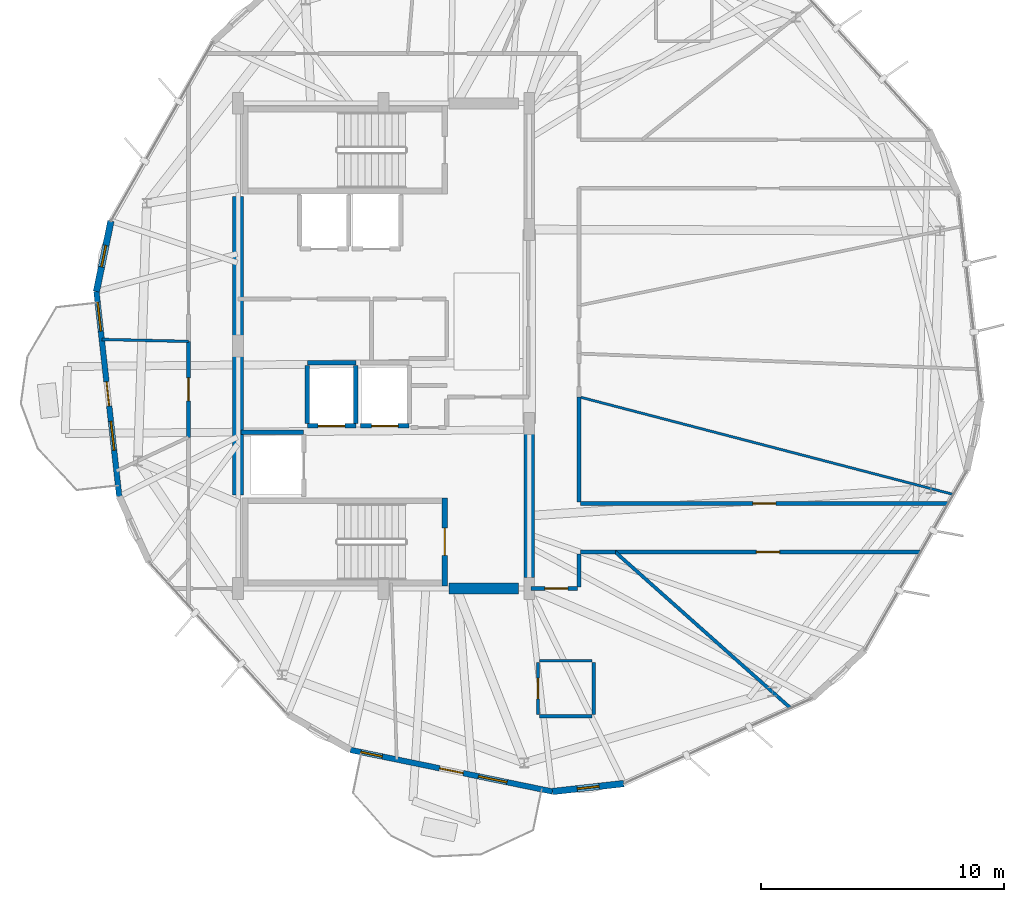
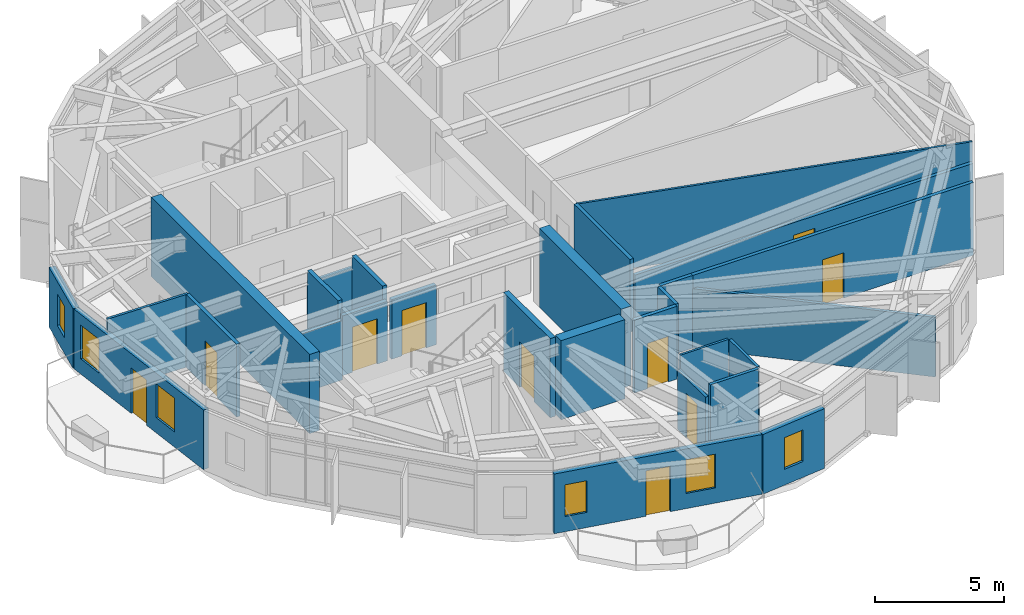
# One storey, part 17 of 23: 28 walls, 10 doors, 6 windows, 16 openings.
"""IFC4 building model written with IfcOpenShell, lengths in metres."""

from ifc_helpers import new_model, si_unit, direction, frame, frame_2d, origin, place, context, subcontext, project, spatial, rectangle, extrude, material, layer, layer_set, type_object, element, fill, save


model = new_model("IFC4")

# Units and contexts
model_context = context("Model", 3, precision=1e-05, world=origin(), true_north=direction((0.0, 1.0)))
body_context = subcontext(model_context, "Body", "Model", "MODEL_VIEW")
ifc_project = project(units=[si_unit("LENGTHUNIT", "METRE"), si_unit("AREAUNIT", "SQUARE_METRE"), si_unit("VOLUMEUNIT", "CUBIC_METRE"), si_unit("PLANEANGLEUNIT", "RADIAN"), si_unit("MASSUNIT", "GRAM", prefix="KILO")], contexts=[model_context])

# Site, building, storey
site_placement = place(None, origin())
site = spatial("IfcSite", under=ifc_project, at=site_placement, CompositionType="ELEMENT")
building_placement = place(site_placement, origin())
building = spatial("IfcBuilding", under=site, at=building_placement, Name="Soratama Intermodal Tower", CompositionType="ELEMENT")
storey_placement = place(building_placement, frame((0.0, 0.0, 257.5)))
storey = spatial("IfcBuildingStorey", under=building, at=storey_placement, Name="L65", CompositionType="ELEMENT", Elevation=257.5)

# Wall, openings, door, windows
ifc_material_1 = material(Name="Concrete f'c 42 MPa", Category="concrete")
ifc_layer_1 = layer(ifc_material_1, 0.22998046875)
ifc_layer_set_1 = layer_set([ifc_layer_1], Name="Concrete f'c 42 MPa")
wall_type_1 = type_object("IfcWallType", Name="EW-BAL-230", PredefinedType="SOLIDWALL", material=ifc_layer_set_1)
wall_1_placement = place(storey_placement, frame((26.759521484375, 27.2431640625, 0.0), z_axis=(0.0, 0.0, 1.0), x_axis=(0.1107562312, -0.993847602629, 0.0)))
wall_1 = element("IfcWall", 1, at=wall_1_placement, inside=storey, type_object=wall_type_1, Name="L65 Terrace Wall F04", PredefinedType="SOLIDWALL", context=body_context, shape_type="SweptSolid", body=[
    extrude(rectangle(XDim=8.499755859375, YDim=0.22998046875, at=frame_2d((4.25, 0.0))), origin(), (0.0, 0.0, 1.0), 2.8291015625),
])
opening_1_placement = place(wall_1_placement, frame((3.75, 0.0, 0.0)))
opening_1 = element("IfcOpeningElement", 2, at=opening_1_placement, cuts=wall_1, Name="Opening ED-2", PredefinedType="OPENING", context=body_context, shape_type="SweptSolid", body=[
    extrude(rectangle(XDim=1.0, YDim=2.14990234375, at=frame_2d((0.5, 1.074951171875))), frame((0.0, 0.125, 0.0), z_axis=(0.0, -1.0, 0.0), x_axis=(1.0, 0.0, 0.0)), (0.0, 0.0, 1.0), 0.25),
])
opening_2_placement = place(wall_1_placement, frame((0.43994140625, 0.0, 0.719970703125)))
opening_2 = element("IfcOpeningElement", 3, at=opening_2_placement, cuts=wall_1, Name="Opening WN-2", PredefinedType="OPENING", context=body_context, shape_type="SweptSolid", body=[
    extrude(rectangle(XDim=1.199951171875, YDim=1.60009765625, at=frame_2d((0.60009765625, 0.800048828125))), frame((0.0, 0.125, 0.0), z_axis=(0.0, -1.0, 0.0), x_axis=(1.0, 0.0, 0.0)), (0.0, 0.0, 1.0), 0.25),
])
opening_3_placement = place(wall_1_placement, frame((5.389892578125, 0.0, 0.719970703125)))
opening_3 = element("IfcOpeningElement", 4, at=opening_3_placement, cuts=wall_1, Name="Opening WN-2", PredefinedType="OPENING", context=body_context, shape_type="SweptSolid", body=[
    extrude(rectangle(XDim=1.199951171875, YDim=1.60009765625, at=frame_2d((0.60009765625, 0.800048828125))), frame((0.0, 0.125, 0.0), z_axis=(0.0, -1.0, 0.0), x_axis=(1.0, 0.0, 0.0)), (0.0, 0.0, 1.0), 0.25),
])
ifc_material_2 = material(Name="Double-glazed aluminium door", Category="aluminium")
door_type_1 = type_object("IfcDoorType", Name="DR-BAL-1000", OperationType="NOTDEFINED", PredefinedType="DOOR", material=ifc_material_2)
door_1_placement = place(opening_1_placement, origin())
door_1 = element("IfcDoor", 5, at=door_1_placement, inside=storey, type_object=door_type_1, Name="L65 Balcony Door F04", OperationType="SINGLE_SWING_RIGHT", OverallHeight=2.14990234375, OverallWidth=1.0, PredefinedType="DOOR", context=body_context, shape_type="SweptSolid", body=[
    extrude(rectangle(XDim=1.0, YDim=2.14990234375, at=frame_2d((0.5, 1.074951171875))), frame((0.0, 0.02490234375, 0.0), z_axis=(0.0, -1.0, 0.0), x_axis=(1.0, 0.0, 0.0)), (0.0, 0.0, 1.0), 0.050048828125),
])
fill(opening_1, door_1)
ifc_material_3 = material(Name="Double-glazed aluminium window", Category="aluminium")
window_type_1 = type_object("IfcWindowType", Name="WN-FAC-1200", PartitioningType="SINGLE_PANEL", PredefinedType="WINDOW", material=ifc_material_3)
window_1_placement = place(opening_2_placement, origin())
window_1 = element("IfcWindow", 6, at=window_1_placement, inside=storey, type_object=window_type_1, Name="L65 Window A F04", OverallHeight=1.60009765625, OverallWidth=1.199951171875, PartitioningType="SINGLE_PANEL", PredefinedType="WINDOW", context=body_context, shape_type="SweptSolid", body=[
    extrude(rectangle(XDim=1.199951171875, YDim=1.60009765625, at=frame_2d((0.60009765625, 0.800048828125))), frame((0.0, 0.030029296875, 0.0), z_axis=(0.0, -1.0, 0.0), x_axis=(1.0, 0.0, 0.0)), (0.0, 0.0, 1.0), 0.06005859375),
])
fill(opening_2, window_1)
window_2_placement = place(opening_3_placement, origin())
window_2 = element("IfcWindow", 7, at=window_2_placement, inside=storey, type_object=window_type_1, Name="L65 Window B F04", OverallHeight=1.60009765625, OverallWidth=1.199951171875, PartitioningType="SINGLE_PANEL", PredefinedType="WINDOW", context=body_context, shape_type="SweptSolid", body=[
    extrude(rectangle(XDim=1.199951171875, YDim=1.60009765625, at=frame_2d((0.60009765625, 0.800048828125))), frame((0.0, 0.030029296875, 0.0), z_axis=(0.0, -1.0, 0.0), x_axis=(1.0, 0.0, 0.0)), (0.0, 0.0, 1.0), 0.06005859375),
])
fill(opening_3, window_2)

wall_2_placement = place(storey_placement, frame((37.22998046875, 8.34521484375, 0.0), z_axis=(0.0, 0.0, 1.0), x_axis=(0.979436514716, -0.201752605043, 0.0)))
wall_2 = element("IfcWall", 8, at=wall_2_placement, inside=storey, type_object=wall_type_1, Name="L65 Terrace Wall F06", PredefinedType="SOLIDWALL", context=body_context, shape_type="SweptSolid", body=[
    extrude(rectangle(XDim=8.499755859375, YDim=0.22998046875, at=frame_2d((4.25, 0.0))), origin(), (0.0, 0.0, 1.0), 2.8291015625),
])
opening_4_placement = place(wall_2_placement, frame((3.75, 0.0, 0.0)))
opening_4 = element("IfcOpeningElement", 9, at=opening_4_placement, cuts=wall_2, Name="Opening ED-2", PredefinedType="OPENING", context=body_context, shape_type="SweptSolid", body=[
    extrude(rectangle(XDim=1.0, YDim=2.14990234375, at=frame_2d((0.5, 1.074951171875))), frame((0.0, 0.125, 0.0), z_axis=(0.0, -1.0, 0.0), x_axis=(1.0, 0.0, 0.0)), (0.0, 0.0, 1.0), 0.25),
])
opening_5_placement = place(wall_2_placement, frame((0.43994140625, 0.0, 0.719970703125)))
opening_5 = element("IfcOpeningElement", 10, at=opening_5_placement, cuts=wall_2, Name="Opening WN-6", PredefinedType="OPENING", context=body_context, shape_type="SweptSolid", body=[
    extrude(rectangle(XDim=0.89990234375, YDim=1.5, at=frame_2d((0.449951171875, 0.75))), frame((0.0, 0.125, 0.0), z_axis=(0.0, -1.0, 0.0), x_axis=(1.0, 0.0, 0.0)), (0.0, 0.0, 1.0), 0.25),
])
opening_6_placement = place(wall_2_placement, frame((5.389892578125, 0.0, 0.719970703125)))
opening_6 = element("IfcOpeningElement", 11, at=opening_6_placement, cuts=wall_2, Name="Opening WN-2", PredefinedType="OPENING", context=body_context, shape_type="SweptSolid", body=[
    extrude(rectangle(XDim=1.199951171875, YDim=1.60009765625, at=frame_2d((0.60009765625, 0.800048828125))), frame((0.0, 0.125, 0.0), z_axis=(0.0, -1.0, 0.0), x_axis=(1.0, 0.0, 0.0)), (0.0, 0.0, 1.0), 0.25),
])
door_2_placement = place(opening_4_placement, origin())
door_2 = element("IfcDoor", 12, at=door_2_placement, inside=storey, type_object=door_type_1, Name="L65 Balcony Door F06", OperationType="SINGLE_SWING_RIGHT", OverallHeight=2.14990234375, OverallWidth=1.0, PredefinedType="DOOR", context=body_context, shape_type="SweptSolid", body=[
    extrude(rectangle(XDim=1.0, YDim=2.14990234375, at=frame_2d((0.5, 1.074951171875))), frame((0.0, 0.02490234375, 0.0), z_axis=(0.0, -1.0, 0.0), x_axis=(1.0, 0.0, 0.0)), (0.0, 0.0, 1.0), 0.050048828125),
])
fill(opening_4, door_2)
window_3_placement = place(opening_6_placement, origin())
window_3 = element("IfcWindow", 13, at=window_3_placement, inside=storey, type_object=window_type_1, Name="L65 Window B F06", OverallHeight=1.60009765625, OverallWidth=1.199951171875, PartitioningType="SINGLE_PANEL", PredefinedType="WINDOW", context=body_context, shape_type="SweptSolid", body=[
    extrude(rectangle(XDim=1.199951171875, YDim=1.60009765625, at=frame_2d((0.60009765625, 0.800048828125))), frame((0.0, 0.030029296875, 0.0), z_axis=(0.0, -1.0, 0.0), x_axis=(1.0, 0.0, 0.0)), (0.0, 0.0, 1.0), 0.06005859375),
])
fill(opening_6, window_3)
ifc_material_4 = material(Name="Double-glazed aluminium window", Category="aluminium")
window_type_2 = type_object("IfcWindowType", Name="WN-FAC-900", PartitioningType="SINGLE_PANEL", PredefinedType="WINDOW", material=ifc_material_4)
window_4_placement = place(opening_5_placement, origin())
window_4 = element("IfcWindow", 14, at=window_4_placement, inside=storey, type_object=window_type_2, Name="L65 Window A F06", OverallHeight=1.5, OverallWidth=0.89990234375, PartitioningType="SINGLE_PANEL", PredefinedType="WINDOW", context=body_context, shape_type="SweptSolid", body=[
    extrude(rectangle(XDim=0.89990234375, YDim=1.5, at=frame_2d((0.449951171875, 0.75))), frame((0.0, 0.030029296875, 0.0), z_axis=(0.0, -1.0, 0.0), x_axis=(1.0, 0.0, 0.0)), (0.0, 0.0, 1.0), 0.06005859375),
])
fill(opening_5, window_4)

# Wall, opening, window
ifc_material_5 = material(Name="Concrete f'c 42 MPa", Category="concrete")
ifc_layer_2 = layer(ifc_material_5, 0.27001953125)
ifc_layer_set_2 = layer_set([ifc_layer_2], Name="Concrete f'c 42 MPa")
wall_type_2 = type_object("IfcWallType", Name="EW-CRN-270", PredefinedType="SOLIDWALL", material=ifc_layer_set_2)
wall_3_placement = place(storey_placement, frame((27.35791015625, 30.148681640625, 0.0), z_axis=(0.0, 0.0, 1.0), x_axis=(-0.201715617992, -0.979444132893, 0.0)))
wall_3 = element("IfcWall", 15, at=wall_3_placement, inside=storey, type_object=wall_type_2, Name="L65 Corner Closure Wall 03", PredefinedType="SOLIDWALL", context=body_context, shape_type="SweptSolid", body=[
    extrude(rectangle(XDim=2.966552734375, YDim=0.27001953125, at=frame_2d((1.4833984375, 0.0))), origin(), (0.0, 0.0, 1.0), 2.8291015625),
])
opening_7_placement = place(wall_3_placement, frame((1.033203125, 0.0, 0.75)))
opening_7 = element("IfcOpeningElement", 16, at=opening_7_placement, cuts=wall_3, Name="Opening WN-6", PredefinedType="OPENING", context=body_context, shape_type="SweptSolid", body=[
    extrude(rectangle(XDim=0.89990234375, YDim=1.5, at=frame_2d((0.449951171875, 0.75))), frame((0.0, 0.14501953125, 0.0), z_axis=(0.0, -1.0, 0.0), x_axis=(1.0, 0.0, 0.0)), (0.0, 0.0, 1.0), 0.2900390625),
])
window_5_placement = place(opening_7_placement, origin())
window_5 = element("IfcWindow", 17, at=window_5_placement, inside=storey, type_object=window_type_2, Name="L65 Corner Window 03", OverallHeight=1.5, OverallWidth=0.89990234375, PartitioningType="SINGLE_PANEL", PredefinedType="WINDOW", context=body_context, shape_type="SweptSolid", body=[
    extrude(rectangle(XDim=0.89990234375, YDim=1.5, at=frame_2d((0.449951171875, 0.75))), frame((0.0, 0.030029296875, 0.0), z_axis=(0.0, -1.0, 0.0), x_axis=(1.0, 0.0, 0.0)), (0.0, 0.0, 1.0), 0.06005859375),
])
fill(opening_7, window_5)

wall_4_placement = place(storey_placement, frame((45.554931640625, 6.63037109375, 0.0), z_axis=(0.0, 0.0, 1.0), x_axis=(0.993846546507, 0.110765707676, 0.0)))
wall_4 = element("IfcWall", 18, at=wall_4_placement, inside=storey, type_object=wall_type_2, Name="L65 Corner Closure Wall 06", PredefinedType="SOLIDWALL", context=body_context, shape_type="SweptSolid", body=[
    extrude(rectangle(XDim=2.966796875, YDim=0.27001953125, at=frame_2d((1.4833984375, 0.0))), origin(), (0.0, 0.0, 1.0), 2.8291015625),
])
opening_8_placement = place(wall_4_placement, frame((1.033203125, 0.0, 0.75)))
opening_8 = element("IfcOpeningElement", 19, at=opening_8_placement, cuts=wall_4, Name="Opening WN-6", PredefinedType="OPENING", context=body_context, shape_type="SweptSolid", body=[
    extrude(rectangle(XDim=0.89990234375, YDim=1.5, at=frame_2d((0.449951171875, 0.75))), frame((0.0, 0.14501953125, 0.0), z_axis=(0.0, -1.0, 0.0), x_axis=(1.0, 0.0, 0.0)), (0.0, 0.0, 1.0), 0.2900390625),
])
window_6_placement = place(opening_8_placement, origin())
window_6 = element("IfcWindow", 20, at=window_6_placement, inside=storey, type_object=window_type_2, Name="L65 Corner Window 06", OverallHeight=1.5, OverallWidth=0.89990234375, PartitioningType="SINGLE_PANEL", PredefinedType="WINDOW", context=body_context, shape_type="SweptSolid", body=[
    extrude(rectangle(XDim=0.89990234375, YDim=1.5, at=frame_2d((0.449951171875, 0.75))), frame((0.0, 0.030029296875, 0.0), z_axis=(0.0, -1.0, 0.0), x_axis=(1.0, 0.0, 0.0)), (0.0, 0.0, 1.0), 0.06005859375),
])
fill(opening_8, window_6)

# Wall, opening, door
ifc_material_6 = material(Name="Fire-rated gypsum stud partition", Category="concrete")
ifc_layer_3 = layer(ifc_material_6, 0.159912109375)
ifc_layer_set_3 = layer_set([ifc_layer_3], Name="Fire-rated gypsum stud partition")
wall_type_3 = type_object("IfcWallType", Name="IW-PART-R160", PredefinedType="PARTITIONING", material=ifc_layer_set_3)
wall_5_placement = place(storey_placement, frame((46.719970703125, 18.5, 0.0), z_axis=(0.0, 0.0, 1.0), x_axis=(1.0, 0.0, 0.0)))
wall_5 = element("IfcWall", 21, at=wall_5_placement, inside=storey, type_object=wall_type_3, Name="L65 Partition W-L65-TP005", PredefinedType="PARTITIONING", context=body_context, shape_type="SweptSolid", body=[
    extrude(rectangle(XDim=15.153076171875, YDim=0.159912109375, at=frame_2d((7.57666015625, 0.0))), origin(), (0.0, 0.0, 1.0), 2.7451171875),
])
opening_9_placement = place(wall_5_placement, frame((7.10107421875, 0.0, 0.0)))
opening_9 = element("IfcOpeningElement", 22, at=opening_9_placement, cuts=wall_5, Name="Opening ID-3", PredefinedType="OPENING", context=body_context, shape_type="SweptSolid", body=[
    extrude(rectangle(XDim=0.949951171875, YDim=2.14990234375, at=frame_2d((0.47509765625, 1.074951171875))), frame((0.0, 0.08984375, 0.0), z_axis=(0.0, -1.0, 0.0), x_axis=(1.0, 0.0, 0.0)), (0.0, 0.0, 1.0), 0.179931640625),
])
ifc_material_7 = material(Name="Solid hardwood acoustic door", Category="wood")
door_type_2 = type_object("IfcDoorType", Name="DR-ROOM-950", OperationType="NOTDEFINED", PredefinedType="DOOR", material=ifc_material_7)
door_3_placement = place(opening_9_placement, origin())
door_3 = element("IfcDoor", 23, at=door_3_placement, inside=storey, type_object=door_type_2, Name="L65 Door D-L65-TP002", OperationType="SINGLE_SWING_LEFT", OverallHeight=2.14990234375, OverallWidth=0.949951171875, PredefinedType="DOOR", context=body_context, shape_type="SweptSolid", body=[
    extrude(rectangle(XDim=0.949951171875, YDim=2.14990234375, at=frame_2d((0.47509765625, 1.074951171875))), frame((0.0, 0.02490234375, 0.0), z_axis=(0.0, -1.0, 0.0), x_axis=(1.0, 0.0, 0.0)), (0.0, 0.0, 1.0), 0.050048828125),
])
fill(opening_9, door_3)

wall_6_placement = place(storey_placement, frame((60.735107421875, 16.5, 0.0), z_axis=(0.0, 0.0, 1.0), x_axis=(-1.0, 0.0, 0.0)))
wall_6 = element("IfcWall", 24, at=wall_6_placement, inside=storey, type_object=wall_type_3, Name="L65 Partition W-L65-TP006", PredefinedType="PARTITIONING", context=body_context, shape_type="SweptSolid", body=[
    extrude(rectangle(XDim=12.586181640625, YDim=0.159912109375, at=frame_2d((6.29296875, 0.0))), origin(), (0.0, 0.0, 1.0), 3.449951171875),
])
opening_10_placement = place(wall_6_placement, frame((5.818115234375, 0.0, 0.0)))
opening_10 = element("IfcOpeningElement", 25, at=opening_10_placement, cuts=wall_6, Name="Opening ID-3", PredefinedType="OPENING", context=body_context, shape_type="SweptSolid", body=[
    extrude(rectangle(XDim=0.949951171875, YDim=2.14990234375, at=frame_2d((0.47509765625, 1.074951171875))), frame((0.0, 0.08984375, 0.0), z_axis=(0.0, -1.0, 0.0), x_axis=(1.0, 0.0, 0.0)), (0.0, 0.0, 1.0), 0.179931640625),
])
door_4_placement = place(opening_10_placement, origin())
door_4 = element("IfcDoor", 26, at=door_4_placement, inside=storey, type_object=door_type_2, Name="L65 Door D-L65-TP003", OperationType="SINGLE_SWING_RIGHT", OverallHeight=2.14990234375, OverallWidth=0.949951171875, PredefinedType="DOOR", context=body_context, shape_type="SweptSolid", body=[
    extrude(rectangle(XDim=0.949951171875, YDim=2.14990234375, at=frame_2d((0.47509765625, 1.074951171875))), frame((0.0, 0.02490234375, 0.0), z_axis=(0.0, -1.0, 0.0), x_axis=(1.0, 0.0, 0.0)), (0.0, 0.0, 1.0), 0.050048828125),
])
fill(opening_10, door_4)

# Wall
wall_7_placement = place(storey_placement, frame((46.64990234375, 22.90087890625, 0.0), z_axis=(0.0, 0.0, 1.0), x_axis=(0.0, -1.0, 0.0)))
element("IfcWall", 27, at=wall_7_placement, inside=storey, type_object=wall_type_3, Name="L65 Partition W-L65-TP019", PredefinedType="PARTITIONING", context=body_context, shape_type="SweptSolid", body=[
    extrude(rectangle(XDim=4.330810546875, YDim=0.159912109375, at=frame_2d((2.16552734375, 0.0))), origin(), (0.0, 0.0, 1.0), 3.449951171875),
])

# Wall, opening, door
wall_8_placement = place(storey_placement, frame((30.550048828125, 21.23388671875, 0.0), z_axis=(0.0, 0.0, 1.0), x_axis=(0.0, 1.0, 0.0)))
wall_8 = element("IfcWall", 28, at=wall_8_placement, inside=storey, type_object=wall_type_3, Name="L65 Partition W-L65-TP020", PredefinedType="PARTITIONING", context=body_context, shape_type="SweptSolid", body=[
    extrude(rectangle(XDim=3.951171875, YDim=0.159912109375, at=frame_2d((1.9755859375, 0.0))), origin(), (0.0, 0.0, 1.0), 3.449951171875),
])
opening_11_placement = place(wall_8_placement, frame((1.5, 0.0, 0.0)))
opening_11 = element("IfcOpeningElement", 29, at=opening_11_placement, cuts=wall_8, Name="Opening ID-3", PredefinedType="OPENING", context=body_context, shape_type="SweptSolid", body=[
    extrude(rectangle(XDim=0.949951171875, YDim=2.14990234375, at=frame_2d((0.47509765625, 1.074951171875))), frame((0.0, 0.08984375, 0.0), z_axis=(0.0, -1.0, 0.0), x_axis=(1.0, 0.0, 0.0)), (0.0, 0.0, 1.0), 0.179931640625),
])
door_5_placement = place(opening_11_placement, origin())
door_5 = element("IfcDoor", 30, at=door_5_placement, inside=storey, type_object=door_type_2, Name="L65 Door D-L65-TP010", OperationType="SINGLE_SWING_LEFT", OverallHeight=2.14990234375, OverallWidth=0.949951171875, PredefinedType="DOOR", context=body_context, shape_type="SweptSolid", body=[
    extrude(rectangle(XDim=0.949951171875, YDim=2.14990234375, at=frame_2d((0.47509765625, 1.074951171875))), frame((0.0, 0.02490234375, 0.0), z_axis=(0.0, -1.0, 0.0), x_axis=(1.0, 0.0, 0.0)), (0.0, 0.0, 1.0), 0.050048828125),
])
fill(opening_11, door_5)

wall_9_placement = place(storey_placement, frame((46.580078125, 15.0, 0.0), z_axis=(0.0, 0.0, 1.0), x_axis=(-1.0, 0.0, 0.0)))
wall_9 = element("IfcWall", 31, at=wall_9_placement, inside=storey, type_object=wall_type_3, Name="L65 Partition W-L65-TP041", PredefinedType="PARTITIONING", context=body_context, shape_type="SweptSolid", body=[
    extrude(rectangle(XDim=1.91015625, YDim=0.159912109375, at=frame_2d((0.955078125, 0.0))), origin(), (0.0, 0.0, 1.0), 3.449951171875),
])
opening_12_placement = place(wall_9_placement, frame((0.384033203125, 0.0, 0.0)))
opening_12 = element("IfcOpeningElement", 32, at=opening_12_placement, cuts=wall_9, Name="Opening ID-3", PredefinedType="OPENING", context=body_context, shape_type="SweptSolid", body=[
    extrude(rectangle(XDim=0.949951171875, YDim=2.14990234375, at=frame_2d((0.47509765625, 1.074951171875))), frame((0.0, 0.08984375, 0.0), z_axis=(0.0, -1.0, 0.0), x_axis=(1.0, 0.0, 0.0)), (0.0, 0.0, 1.0), 0.179931640625),
])
door_6_placement = place(opening_12_placement, origin())
door_6 = element("IfcDoor", 33, at=door_6_placement, inside=storey, type_object=door_type_2, Name="L65 Door D-L65-TP019", OperationType="SINGLE_SWING_RIGHT", OverallHeight=2.14990234375, OverallWidth=0.949951171875, PredefinedType="DOOR", context=body_context, shape_type="SweptSolid", body=[
    extrude(rectangle(XDim=0.949951171875, YDim=2.14990234375, at=frame_2d((0.47509765625, 1.074951171875))), frame((0.0, 0.02490234375, 0.0), z_axis=(0.0, -1.0, 0.0), x_axis=(1.0, 0.0, 0.0)), (0.0, 0.0, 1.0), 0.050048828125),
])
fill(opening_12, door_6)

# Walls
wall_10_placement = place(storey_placement, frame((48.14892578125, 16.5, 0.0), z_axis=(0.0, 0.0, 1.0), x_axis=(-1.0, 0.0, 0.0)))
element("IfcWall", 34, at=wall_10_placement, inside=storey, type_object=wall_type_3, Name="L65 Partition W-L65-TP046", PredefinedType="PARTITIONING", context=body_context, shape_type="SweptSolid", body=[
    extrude(rectangle(XDim=1.428955078125, YDim=0.159912109375, at=frame_2d((0.71435546875, 0.0))), origin(), (0.0, 0.0, 1.0), 3.449951171875),
])
wall_11_placement = place(storey_placement, frame((46.64990234375, 16.429931640625, 0.0), z_axis=(0.0, 0.0, 1.0), x_axis=(0.0, -1.0, 0.0)))
element("IfcWall", 35, at=wall_11_placement, inside=storey, type_object=wall_type_3, Name="L65 Partition W-L65-TP047", PredefinedType="PARTITIONING", context=body_context, shape_type="SweptSolid", body=[
    extrude(rectangle(XDim=1.35986328125, YDim=0.159912109375, at=frame_2d((0.679931640625, 0.0))), origin(), (0.0, 0.0, 1.0), 3.449951171875),
])
ifc_material_8 = material(Name="Fire-rated gypsum stud partition", Category="concrete")
ifc_layer_4 = layer(ifc_material_8, 0.10009765625)
ifc_layer_set_4 = layer_set([ifc_layer_4], Name="Fire-rated gypsum stud partition")
wall_type_4 = type_object("IfcWallType", Name="IW-PART-S100", PredefinedType="PARTITIONING", material=ifc_layer_set_4)
wall_12_placement = place(storey_placement, frame((46.64990234375, 22.90087890625, 0.0), z_axis=(0.0, 0.0, 1.0), x_axis=(0.967650092585, -0.252296052923, 0.0)))
element("IfcWall", 36, at=wall_12_placement, inside=storey, type_object=wall_type_4, Name="L65 Partition W-L65-TP003", PredefinedType="PARTITIONING", context=body_context, shape_type="SweptSolid", body=[
    extrude(rectangle(XDim=15.953125, YDim=0.10009765625, at=frame_2d((7.9765625, 0.0))), origin(), (0.0, 0.0, 1.0), 3.449951171875),
])
wall_13_placement = place(storey_placement, frame((47.18994140625, 12.028076171875, 0.0), z_axis=(0.0, 0.0, 1.0), x_axis=(-1.0, 0.0, 0.0)))
element("IfcWall", 37, at=wall_13_placement, inside=storey, type_object=wall_type_4, Name="L65 Partition W-L65-TP038", PredefinedType="PARTITIONING", context=body_context, shape_type="SweptSolid", body=[
    extrude(rectangle(XDim=2.159912109375, YDim=0.10009765625, at=frame_2d((1.080078125, 0.0))), origin(), (0.0, 0.0, 1.0), 3.449951171875),
])
ifc_material_9 = material(Name="Fire-rated gypsum stud partition", Category="concrete")
ifc_layer_5 = layer(ifc_material_9, 0.110107421875)
ifc_layer_set_5 = layer_set([ifc_layer_5], Name="Fire-rated gypsum stud partition")
wall_type_5 = type_object("IfcWallType", Name="IW-PART-S110", PredefinedType="PARTITIONING", material=ifc_layer_set_5)
wall_14_placement = place(storey_placement, frame((30.550048828125, 25.18505859375, 0.0), z_axis=(0.0, 0.0, 1.0), x_axis=(-0.999736121704, 0.022971437933, 0.0)))
element("IfcWall", 38, at=wall_14_placement, inside=storey, type_object=wall_type_5, Name="L65 Partition W-L65-TP022", PredefinedType="PARTITIONING", context=body_context, shape_type="SweptSolid", body=[
    extrude(rectangle(XDim=3.571044921875, YDim=0.110107421875, at=frame_2d((1.78564453125, 0.0))), origin(), (0.0, 0.0, 1.0), 3.449951171875),
])
ifc_material_10 = material(Name="Fire-rated gypsum stud partition", Category="concrete")
ifc_layer_6 = layer(ifc_material_10, 0.1298828125)
ifc_layer_set_6 = layer_set([ifc_layer_6], Name="Fire-rated gypsum stud partition")
wall_type_6 = type_object("IfcWallType", Name="IW-PART-S130", PredefinedType="PARTITIONING", material=ifc_layer_set_6)
wall_15_placement = place(storey_placement, frame((47.260009765625, 9.798095703125, 0.0), z_axis=(0.0, 0.0, 1.0), x_axis=(0.0, 1.0, 0.0)))
element("IfcWall", 39, at=wall_15_placement, inside=storey, type_object=wall_type_6, Name="L65 Partition W-L65-TP035", PredefinedType="PARTITIONING", context=body_context, shape_type="SweptSolid", body=[
    extrude(rectangle(XDim=2.159912109375, YDim=0.1298828125, at=frame_2d((1.080078125, 0.0))), origin(), (0.0, 0.0, 1.0), 3.449951171875),
])
ifc_material_11 = material(Name="Fire-rated gypsum stud partition", Category="concrete")
ifc_layer_7 = layer(ifc_material_11, 0.139892578125)
ifc_layer_set_7 = layer_set([ifc_layer_7], Name="Fire-rated gypsum stud partition")
wall_type_7 = type_object("IfcWallType", Name="IW-PART-S140", PredefinedType="PARTITIONING", material=ifc_layer_set_7)
wall_16_placement = place(storey_placement, frame((48.14892578125, 16.5, 0.0), z_axis=(0.0, 0.0, 1.0), x_axis=(0.746878427267, -0.664960611527, 0.0)))
element("IfcWall", 40, at=wall_16_placement, inside=storey, type_object=wall_type_7, Name="L65 Partition W-L65-TP009", PredefinedType="PARTITIONING", context=body_context, shape_type="SweptSolid", body=[
    extrude(rectangle(XDim=9.671142578125, YDim=0.139892578125, at=frame_2d((4.83544921875, 0.0))), origin(), (0.0, 0.0, 1.0), 2.827880859375),
])

# Wall, opening, door
wall_17_placement = place(storey_placement, frame((44.9599609375, 11.9580078125, 0.0), z_axis=(0.0, 0.0, 1.0), x_axis=(0.0, -1.0, 0.0)))
wall_17 = element("IfcWall", 41, at=wall_17_placement, inside=storey, type_object=wall_type_7, Name="L65 Partition W-L65-TP034", PredefinedType="PARTITIONING", context=body_context, shape_type="SweptSolid", body=[
    extrude(rectangle(XDim=2.159912109375, YDim=0.139892578125, at=frame_2d((1.080078125, 0.0))), origin(), (0.0, 0.0, 1.0), 2.827880859375),
])
opening_13_placement = place(wall_17_placement, frame((0.655029296875, 0.0, 0.0)))
opening_13 = element("IfcOpeningElement", 42, at=opening_13_placement, cuts=wall_17, Name="Opening ID-4", PredefinedType="OPENING", context=body_context, shape_type="SweptSolid", body=[
    extrude(rectangle(XDim=0.85009765625, YDim=2.10009765625, at=frame_2d((0.425048828125, 1.050048828125))), frame((0.0, 0.079833984375, 0.0), z_axis=(0.0, -1.0, 0.0), x_axis=(1.0, 0.0, 0.0)), (0.0, 0.0, 1.0), 0.159912109375),
])
ifc_material_12 = material(Name="Solid hardwood acoustic door", Category="wood")
door_type_3 = type_object("IfcDoorType", Name="DR-BATH-850", OperationType="NOTDEFINED", PredefinedType="DOOR", material=ifc_material_12)
door_7_placement = place(opening_13_placement, origin())
door_7 = element("IfcDoor", 43, at=door_7_placement, inside=storey, type_object=door_type_3, Name="L65 Door D-L65-TP017", OperationType="SINGLE_SWING_RIGHT", OverallHeight=2.10009765625, OverallWidth=0.85009765625, PredefinedType="DOOR", context=body_context, shape_type="SweptSolid", body=[
    extrude(rectangle(XDim=0.85009765625, YDim=2.10009765625, at=frame_2d((0.425048828125, 1.050048828125))), frame((0.0, 0.02490234375, 0.0), z_axis=(0.0, -1.0, 0.0), x_axis=(1.0, 0.0, 0.0)), (0.0, 0.0, 1.0), 0.050048828125),
])
fill(opening_13, door_7)

# Wall
wall_18_placement = place(storey_placement, frame((45.030029296875, 9.72802734375, 0.0), z_axis=(0.0, 0.0, 1.0), x_axis=(1.0, 0.0, 0.0)))
element("IfcWall", 44, at=wall_18_placement, inside=storey, type_object=wall_type_7, Name="L65 Partition W-L65-TP039", PredefinedType="PARTITIONING", context=body_context, shape_type="SweptSolid", body=[
    extrude(rectangle(XDim=2.159912109375, YDim=0.139892578125, at=frame_2d((1.080078125, 0.0))), origin(), (0.0, 0.0, 1.0), 3.449951171875),
])

# Wall, opening, door
ifc_material_13 = material(Name="Concrete f'c 42 MPa", Category="concrete")
ifc_layer_8 = layer(ifc_material_13, 0.18505859375)
ifc_layer_set_8 = layer_set([ifc_layer_8], Name="Concrete f'c 42 MPa")
wall_type_8 = type_object("IfcWallType", Name="IW-SHAFT-185", PredefinedType="SOLIDWALL", material=ifc_layer_set_8)
wall_19_placement = place(storey_placement, frame((35.449951171875, 21.699951171875, 0.0), z_axis=(0.0, 0.0, 1.0), x_axis=(1.0, 0.0, 0.0)))
wall_19 = element("IfcWall", 45, at=wall_19_placement, inside=storey, type_object=wall_type_8, Name="L65 FFL-1 Hoistway Wall S", PredefinedType="SOLIDWALL", context=body_context, shape_type="SweptSolid", body=[
    extrude(rectangle(XDim=2.0, YDim=0.18505859375, at=frame_2d((1.0, 0.0))), origin(), (0.0, 0.0, 1.0), 2.823974609375),
])
opening_14_placement = place(wall_19_placement, frame((0.449951171875, 0.0, 0.0)))
opening_14 = element("IfcOpeningElement", 46, at=opening_14_placement, cuts=wall_19, Name="Opening LD-1", PredefinedType="OPENING", context=body_context, shape_type="SweptSolid", body=[
    extrude(rectangle(XDim=1.10009765625, YDim=2.14990234375, at=frame_2d((0.550048828125, 1.074951171875))), frame((0.0, 0.1025390625, 0.0), z_axis=(0.0, -1.0, 0.0), x_axis=(1.0, 0.0, 0.0)), (0.0, 0.0, 1.0), 0.205078125),
])
ifc_material_14 = material(Name="Steel fire door", Category="steel")
door_type_4 = type_object("IfcDoorType", Name="DR-LIFT-SLIDE", OperationType="NOTDEFINED", PredefinedType="DOOR", material=ifc_material_14)
door_8_placement = place(opening_14_placement, origin())
door_8 = element("IfcDoor", 47, at=door_8_placement, inside=storey, type_object=door_type_4, Name="L65 FFL-1 Sliding Landing Door", OperationType="SLIDING_TO_LEFT", OverallHeight=2.14990234375, OverallWidth=1.10009765625, PredefinedType="DOOR", context=body_context, shape_type="SweptSolid", body=[
    extrude(rectangle(XDim=1.10009765625, YDim=2.14990234375, at=frame_2d((0.550048828125, 1.074951171875))), frame((0.0, 0.02490234375, 0.0), z_axis=(0.0, -1.0, 0.0), x_axis=(1.0, 0.0, 0.0)), (0.0, 0.0, 1.0), 0.050048828125),
])
fill(opening_14, door_8)

# Walls
wall_20_placement = place(storey_placement, frame((35.449951171875, 24.300048828125, 0.0), z_axis=(0.0, 0.0, 1.0), x_axis=(1.0, 0.0, 0.0)))
element("IfcWall", 48, at=wall_20_placement, inside=storey, type_object=wall_type_8, Name="L65 FFL-1 Hoistway Wall N", PredefinedType="SOLIDWALL", context=body_context, shape_type="SweptSolid", body=[
    extrude(rectangle(XDim=2.0, YDim=0.18505859375, at=frame_2d((1.0, 0.0))), origin(), (0.0, 0.0, 1.0), 2.823974609375),
])
for number, where, z_axis, x_axis, name in (
    (49, (35.449951171875, 21.81005859375, 0.0), (0.0, 0.0, 1.0), (0.0, 1.0, 0.0), "L65 FFL-1 Hoistway Wall W"),
    (50, (37.449951171875, 21.81005859375, 0.0), (0.0, 0.0, 1.0), (0.0, 1.0, 0.0), "L65 FFL-1 Hoistway Wall E"),
):
    element("IfcWall", number, at=place(storey_placement, frame(where, z_axis=z_axis, x_axis=x_axis)), inside=storey, type_object=wall_type_8, Name=name, PredefinedType="SOLIDWALL", context=body_context, shape_type="SweptSolid", body=[
        extrude(rectangle(XDim=2.3798828125, YDim=0.18505859375, at=frame_2d((1.18994140625, 0.0))), origin(), (0.0, 0.0, 1.0), 3.449951171875),
    ])

# Wall, opening, door
wall_21_placement = place(storey_placement, frame((37.64990234375, 21.699951171875, 0.0), z_axis=(0.0, 0.0, 1.0), x_axis=(1.0, 0.0, 0.0)))
wall_21 = element("IfcWall", 51, at=wall_21_placement, inside=storey, type_object=wall_type_8, Name="L65 FFL-2 Hoistway Wall S", PredefinedType="SOLIDWALL", context=body_context, shape_type="SweptSolid", body=[
    extrude(rectangle(XDim=2.0, YDim=0.18505859375, at=frame_2d((1.0, 0.0))), origin(), (0.0, 0.0, 1.0), 2.823974609375),
])
opening_15_placement = place(wall_21_placement, frame((0.449951171875, 0.0, 0.0)))
opening_15 = element("IfcOpeningElement", 52, at=opening_15_placement, cuts=wall_21, Name="Opening LD-1", PredefinedType="OPENING", context=body_context, shape_type="SweptSolid", body=[
    extrude(rectangle(XDim=1.10009765625, YDim=2.14990234375, at=frame_2d((0.550048828125, 1.074951171875))), frame((0.0, 0.1025390625, 0.0), z_axis=(0.0, -1.0, 0.0), x_axis=(1.0, 0.0, 0.0)), (0.0, 0.0, 1.0), 0.205078125),
])
door_9_placement = place(opening_15_placement, origin())
door_9 = element("IfcDoor", 53, at=door_9_placement, inside=storey, type_object=door_type_4, Name="L65 FFL-2 Sliding Landing Door", OperationType="SLIDING_TO_LEFT", OverallHeight=2.14990234375, OverallWidth=1.10009765625, PredefinedType="DOOR", context=body_context, shape_type="SweptSolid", body=[
    extrude(rectangle(XDim=1.10009765625, YDim=2.14990234375, at=frame_2d((0.550048828125, 1.074951171875))), frame((0.0, 0.02490234375, 0.0), z_axis=(0.0, -1.0, 0.0), x_axis=(1.0, 0.0, 0.0)), (0.0, 0.0, 1.0), 0.050048828125),
])
fill(opening_15, door_9)

# Walls
wall_22_placement = place(storey_placement, frame((32.719970703125, 21.449951171875, 0.0), z_axis=(0.0, 0.0, 1.0), x_axis=(1.0, 0.0, 0.0)))
element("IfcWall", 54, at=wall_22_placement, inside=storey, type_object=wall_type_8, Name="L65 SVL-1 Hoistway Wall N", PredefinedType="SOLIDWALL", context=body_context, shape_type="SweptSolid", body=[
    extrude(rectangle(XDim=2.580078125, YDim=0.18505859375, at=frame_2d((1.2900390625, 0.0))), origin(), (0.0, 0.0, 1.0), 2.823974609375),
])
ifc_material_15 = material(Name="Concrete f'c 56 MPa", Category="concrete")
ifc_layer_9 = layer(ifc_material_15, 0.449951171875)
ifc_layer_set_9 = layer_set([ifc_layer_9], Name="Concrete f'c 56 MPa")
wall_type_9 = type_object("IfcWallType", Name="SW-CORE-450", PredefinedType="SHEAR", material=ifc_layer_set_9)
wall_23_placement = place(storey_placement, frame((32.60009765625, 18.85009765625, 0.0), z_axis=(0.0, 0.0, 1.0), x_axis=(0.0, 1.0, 0.0)))
element("IfcWall", 55, at=wall_23_placement, inside=storey, type_object=wall_type_9, Name="L65 Core Shear Wall CW-WMID", PredefinedType="SHEAR", context=body_context, shape_type="SweptSolid", body=[
    extrude(rectangle(XDim=12.2998046875, YDim=0.449951171875, at=frame_2d((6.14990234375, 0.0))), origin(), (0.0, 0.0, 1.0), 3.75),
])
wall_24_placement = place(storey_placement, frame((41.300048828125, 15.0, 0.0), z_axis=(0.0, 0.0, 1.0), x_axis=(1.0, 0.0, 0.0)))
element("IfcWall", 56, at=wall_24_placement, inside=storey, type_object=wall_type_9, Name="L65 Core Shear Wall CW-SE", PredefinedType="SHEAR", context=body_context, shape_type="SweptSolid", body=[
    extrude(rectangle(XDim=2.849853515625, YDim=0.449951171875, at=frame_2d((1.4248046875, 0.0))), origin(), (0.0, 0.0, 1.0), 3.75),
])
wall_25_placement = place(storey_placement, frame((44.60009765625, 15.449951171875, 0.0), z_axis=(0.0, 0.0, 1.0), x_axis=(0.0, 1.0, 0.0)))
element("IfcWall", 57, at=wall_25_placement, inside=storey, type_object=wall_type_9, Name="L65 Core Shear Wall CW-ES", PredefinedType="SHEAR", context=body_context, shape_type="SweptSolid", body=[
    extrude(rectangle(XDim=6.35009765625, YDim=0.449951171875, at=frame_2d((3.175048828125, 0.0))), origin(), (0.0, 0.0, 1.0), 3.75),
])

# Wall, opening, door
ifc_material_16 = material(Name="Concrete f'c 56 MPa", Category="concrete")
ifc_layer_10 = layer(ifc_material_16, 0.239990234375)
ifc_layer_set_10 = layer_set([ifc_layer_10], Name="Concrete f'c 56 MPa")
wall_type_10 = type_object("IfcWallType", Name="SW-STAIR-240", PredefinedType="SHEAR", material=ifc_layer_set_10)
wall_26_placement = place(storey_placement, frame((41.1201171875, 15.110107421875, 0.0), z_axis=(0.0, 0.0, 1.0), x_axis=(0.0, 1.0, 0.0)))
wall_26 = element("IfcWall", 58, at=wall_26_placement, inside=storey, type_object=wall_type_10, Name="L65 ST-1 Shaft Shear Wall E", PredefinedType="SHEAR", context=body_context, shape_type="SweptSolid", body=[
    extrude(rectangle(XDim=3.6298828125, YDim=0.239990234375, at=frame_2d((1.81494140625, 0.0))), origin(), (0.0, 0.0, 1.0), 3.75),
])
opening_16_placement = place(wall_26_placement, frame((1.2548828125, 0.0, 0.0)))
opening_16 = element("IfcOpeningElement", 59, at=opening_16_placement, cuts=wall_26, Name="Opening SD-1", PredefinedType="OPENING", context=body_context, shape_type="SweptSolid", body=[
    extrude(rectangle(XDim=1.1201171875, YDim=2.14990234375, at=frame_2d((0.56005859375, 1.074951171875))), frame((0.0, 0.1298828125, 0.0), z_axis=(0.0, -1.0, 0.0), x_axis=(1.0, 0.0, 0.0)), (0.0, 0.0, 1.0), 0.260009765625),
])
ifc_material_17 = material(Name="Steel fire door", Category="steel")
door_type_5 = type_object("IfcDoorType", Name="DR-STAIR-FD90", OperationType="NOTDEFINED", PredefinedType="DOOR", material=ifc_material_17)
door_10_placement = place(opening_16_placement, origin())
door_10 = element("IfcDoor", 60, at=door_10_placement, inside=storey, type_object=door_type_5, Name="L65 ST-1 Exit Stair Door", OperationType="SINGLE_SWING_LEFT", OverallHeight=2.14990234375, OverallWidth=1.1201171875, PredefinedType="DOOR", context=body_context, shape_type="SweptSolid", body=[
    extrude(rectangle(XDim=1.1201171875, YDim=2.14990234375, at=frame_2d((0.56005859375, 1.074951171875))), frame((0.0, 0.02490234375, 0.0), z_axis=(0.0, -1.0, 0.0), x_axis=(1.0, 0.0, 0.0)), (0.0, 0.0, 1.0), 0.050048828125),
])
fill(opening_16, door_10)

save(model, "model.ifc")
